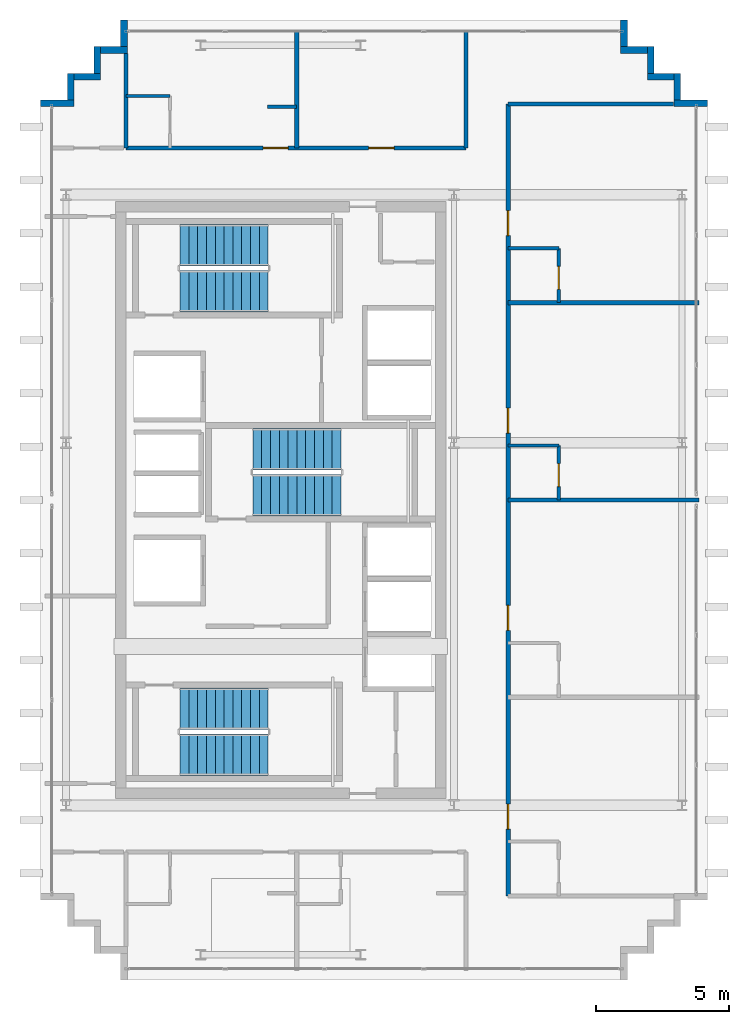
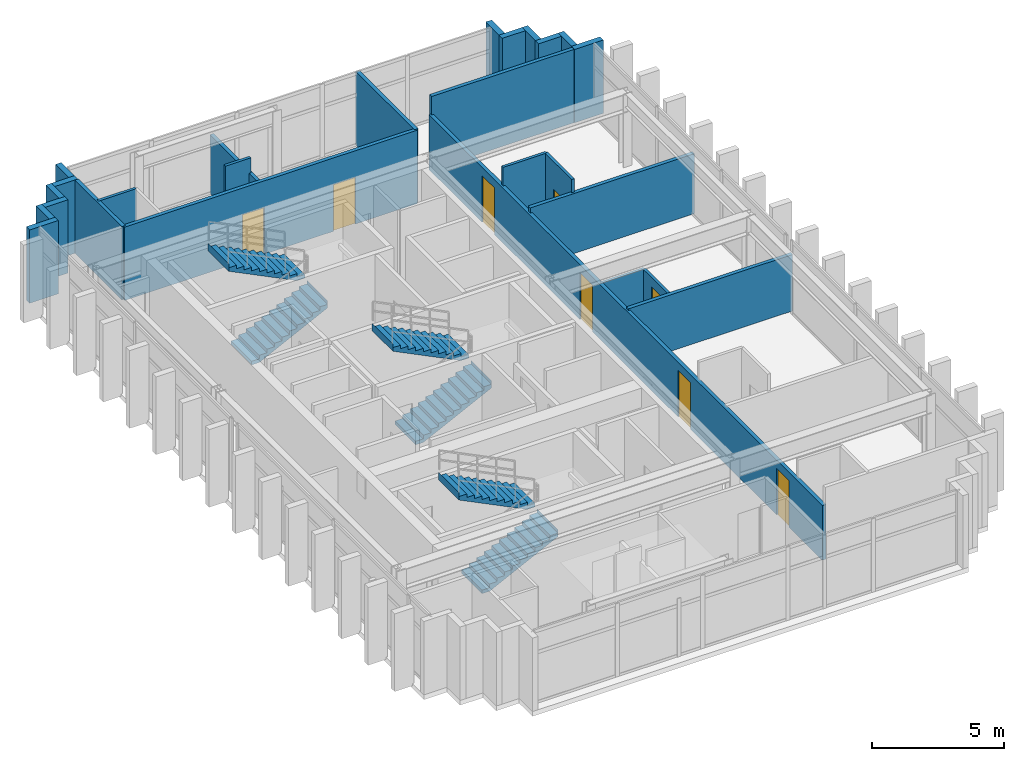
# One storey, part 14 of 15: 26 walls, 8 doors, 6 stair flights, 8 openings, 3 elements without a shape of their own.
"""IFC4 building model written with IfcOpenShell, lengths in metres."""

from ifc_helpers import new_model, si_unit, direction, frame, frame_2d, origin, place, context, subcontext, project, spatial, polyline, rectangle, outline, extrude, source, transform, mapped, material, layer, layer_set, type_object, element, fill, aggregate, save


model = new_model("IFC4")

# Units and contexts
model_context = context("Model", 3, precision=1e-05, world=origin(), true_north=direction((0.0, 1.0)))
body_context = subcontext(model_context, "Body", "Model", "MODEL_VIEW")
ifc_project = project(units=[si_unit("LENGTHUNIT", "METRE"), si_unit("AREAUNIT", "SQUARE_METRE"), si_unit("VOLUMEUNIT", "CUBIC_METRE"), si_unit("PLANEANGLEUNIT", "RADIAN"), si_unit("MASSUNIT", "GRAM", prefix="KILO")], contexts=[model_context])

# Site, building, storey
site_placement = place(None, origin())
site = spatial("IfcSite", under=ifc_project, at=site_placement, CompositionType="ELEMENT")
building_placement = place(site_placement, origin())
building = spatial("IfcBuilding", under=site, at=building_placement, Name="Ocotamira Hotel", CompositionType="ELEMENT")
storey_placement = place(building_placement, frame((0.0, 0.0, 283.199951171875)))
storey = spatial("IfcBuildingStorey", under=building, at=storey_placement, Name="L72", CompositionType="ELEMENT", Elevation=283.199951171875)

# Walls
ifc_material_1 = material(Name="Precast concrete C45/55", Category="concrete")
ifc_layer_1 = layer(ifc_material_1, 0.25)
ifc_layer_set_1 = layer_set([ifc_layer_1], Name="Precast concrete C45/55")
wall_type_1 = type_object("IfcWallType", Name="WL-EXT-SER-250", PredefinedType="SOLIDWALL", material=ifc_layer_set_1)
wall_1_placement = place(storey_placement, frame((33.0, 40.875, 0.0), z_axis=(0.0, 0.0, 1.0), x_axis=(-1.0, 0.0, 0.0)))
element("IfcWall", 1, at=wall_1_placement, inside=storey, type_object=wall_type_1, Name="L72 Serrated Corner Wall 07", PredefinedType="SOLIDWALL", context=body_context, shape_type="SweptSolid", body=[
    extrude(rectangle(XDim=1.25, YDim=0.25, at=frame_2d((0.625, 0.0))), origin(), (0.0, 0.0, 1.0), 3.380126953125),
])
for number, where, z_axis, x_axis, name in (
    (2, (31.875, 41.0, 0.0), (0.0, 0.0, 1.0), (0.0, 1.0, 0.0), "L72 Serrated Corner Wall 08"),
    (3, (31.75, 41.875, 0.0), (0.0, 0.0, 1.0), (-1.0, 0.0, 0.0), "L72 Serrated Corner Wall 09"),
    (4, (30.875, 42.0, 0.0), (0.0, 0.0, 1.0), (0.0, 1.0, 0.0), "L72 Serrated Corner Wall 10"),
    (5, (30.75, 42.875, 0.0), (0.0, 0.0, 1.0), (-1.0, 0.0, 0.0), "L72 Serrated Corner Wall 11"),
    (6, (29.875, 43.0, 0.0), (0.0, 0.0, 1.0), (0.0, 1.0, 0.0), "L72 Serrated Corner Wall 12"),
    (7, (11.125, 44.0, 0.0), (0.0, 0.0, 1.0), (0.0, -1.0, 0.0), "L72 Serrated Corner Wall 13"),
    (8, (11.25, 42.875, 0.0), (0.0, 0.0, 1.0), (-1.0, 0.0, 0.0), "L72 Serrated Corner Wall 14"),
    (9, (10.125, 43.0, 0.0), (0.0, 0.0, 1.0), (0.0, -1.0, 0.0), "L72 Serrated Corner Wall 15"),
    (10, (10.25, 41.875, 0.0), (0.0, 0.0, 1.0), (-1.0, 0.0, 0.0), "L72 Serrated Corner Wall 16"),
    (11, (9.125, 42.0, 0.0), (0.0, 0.0, 1.0), (0.0, -1.0, 0.0), "L72 Serrated Corner Wall 17"),
):
    element("IfcWall", number, at=place(storey_placement, frame(where, z_axis=z_axis, x_axis=x_axis)), inside=storey, type_object=wall_type_1, Name=name, PredefinedType="SOLIDWALL", context=body_context, shape_type="SweptSolid", body=[
        extrude(rectangle(XDim=1.0, YDim=0.25, at=frame_2d((0.5, 0.0))), origin(), (0.0, 0.0, 1.0), 3.380126953125),
    ])
wall_2_placement = place(storey_placement, frame((9.25, 40.875, 0.0), z_axis=(0.0, 0.0, 1.0), x_axis=(-1.0, 0.0, 0.0)))
element("IfcWall", 12, at=wall_2_placement, inside=storey, type_object=wall_type_1, Name="L72 Serrated Corner Wall 18", PredefinedType="SOLIDWALL", context=body_context, shape_type="SweptSolid", body=[
    extrude(rectangle(XDim=1.25, YDim=0.25, at=frame_2d((0.625, 0.0))), origin(), (0.0, 0.0, 1.0), 3.380126953125),
])

# Wall, openings, doors
ifc_material_2 = material(Name="Acoustic double-layer fire gypsum board partition", Category="gypsum")
ifc_layer_2 = layer(ifc_material_2, 0.159912109375)
ifc_layer_set_2 = layer_set([ifc_layer_2], Name="Acoustic double-layer fire gypsum board partition")
wall_type_2 = type_object("IfcWallType", Name="WL-FIRE-160", PredefinedType="PARTITIONING", material=ifc_layer_set_2)
wall_3_placement = place(storey_placement, frame((11.199951171875, 39.199951171875, 0.0), z_axis=(0.0, 0.0, 1.0), x_axis=(1.0, 0.0, 0.0)))
wall_3 = element("IfcWall", 13, at=wall_3_placement, inside=storey, type_object=wall_type_2, Name="L72 Interior Wall PW-L72-WP1N-CORRW", PredefinedType="PARTITIONING", context=body_context, shape_type="SweptSolid", body=[
    extrude(rectangle(XDim=12.75, YDim=0.159912109375, at=frame_2d((6.375, 0.0))), origin(), (0.0, 0.0, 1.0), 3.380126953125),
])
opening_1_placement = place(wall_3_placement, frame((5.139892578125, 0.0, 0.0)))
opening_1 = element("IfcOpeningElement", 14, at=opening_1_placement, cuts=wall_3, Name="Opening D-GR1", PredefinedType="OPENING", context=body_context, shape_type="SweptSolid", body=[
    extrude(rectangle(XDim=0.93994140625, YDim=2.14990234375, at=frame_2d((0.469970703125, 1.074951171875))), frame((0.0, 0.08984375, 0.0), z_axis=(0.0, -1.0, 0.0), x_axis=(1.0, 0.0, 0.0)), (0.0, 0.0, 1.0), 0.179931640625),
])
opening_2_placement = place(wall_3_placement, frame((9.094970703125, 0.0, 0.0)))
opening_2 = element("IfcOpeningElement", 15, at=opening_2_placement, cuts=wall_3, Name="Opening D-SV4", PredefinedType="OPENING", context=body_context, shape_type="SweptSolid", body=[
    extrude(rectangle(XDim=0.9599609375, YDim=2.14990234375, at=frame_2d((0.47998046875, 1.074951171875))), frame((0.0, 0.08984375, 0.0), z_axis=(0.0, -1.0, 0.0), x_axis=(1.0, 0.0, 0.0)), (0.0, 0.0, 1.0), 0.179931640625),
])
ifc_material_3 = material(Name="Fire-rated accessible walnut salon door", Category="wood")
door_type_1 = type_object("IfcDoorType", Name="DR-SERV-960", OperationType="NOTDEFINED", PredefinedType="DOOR", material=ifc_material_3)
shared_shape_1 = source(origin(), body_context, "Body", "SweptSolid", [
    extrude(rectangle(XDim=0.9599609375, YDim=2.14990234375, at=frame_2d((0.47998046875, 1.074951171875))), frame((0.0, 0.02490234375, 0.0), z_axis=(0.0, -1.0, 0.0), x_axis=(1.0, 0.0, 0.0)), (0.0, 0.0, 1.0), 0.050048828125),
])
door_1_placement = place(opening_2_placement, origin())
door_1 = element("IfcDoor", 16, at=door_1_placement, inside=storey, type_object=door_type_1, Name="L72 Door ID-L72-WP1N-AMD2 [ID-L72-WP1N-AMD2]", OperationType="SINGLE_SWING_RIGHT", OverallHeight=2.14990234375, OverallWidth=0.9599609375, PredefinedType="DOOR", context=body_context, shape_type="MappedRepresentation", body=[
    mapped(shared_shape_1, transform((0.0, 0.0, 0.0), scale=1.0)),
])
fill(opening_2, door_1)
ifc_material_4 = material(Name="Solid-core walnut suite entrance fire door", Category="wood")
door_type_2 = type_object("IfcDoorType", Name="DR-GUEST-940", OperationType="NOTDEFINED", PredefinedType="DOOR", material=ifc_material_4)
shared_shape_2 = source(origin(), body_context, "Body", "SweptSolid", [
    extrude(rectangle(XDim=0.93994140625, YDim=2.14990234375, at=frame_2d((0.469970703125, 1.074951171875))), frame((0.0, 0.02490234375, 0.0), z_axis=(0.0, -1.0, 0.0), x_axis=(1.0, 0.0, 0.0)), (0.0, 0.0, 1.0), 0.050048828125),
])
door_2_placement = place(opening_1_placement, origin())
door_2 = element("IfcDoor", 17, at=door_2_placement, inside=storey, type_object=door_type_2, Name="L72 Door ID-L72-WP1N-RMD1 [ID-L72-WP1N-RMD1]", OperationType="SINGLE_SWING_LEFT", OverallHeight=2.14990234375, OverallWidth=0.93994140625, PredefinedType="DOOR", context=body_context, shape_type="MappedRepresentation", body=[
    mapped(shared_shape_2, transform((0.0, 0.0, 0.0), scale=1.0)),
])
fill(opening_1, door_2)

wall_4_placement = place(storey_placement, frame((25.530029296875, 11.14990234375, 0.0), z_axis=(0.0, 0.0, 1.0), x_axis=(0.0, 1.0, 0.0)))
wall_4 = element("IfcWall", 18, at=wall_4_placement, inside=storey, type_object=wall_type_2, Name="L72 Interior Wall PW-L72-WP-EASTW-FULL", PredefinedType="PARTITIONING", context=body_context, shape_type="SweptSolid", body=[
    extrude(rectangle(XDim=29.7001953125, YDim=0.159912109375, at=frame_2d((14.85009765625, 0.0))), origin(), (0.0, 0.0, 1.0), 2.524169921875),
])
opening_3_placement = place(wall_4_placement, frame((2.510009765625, 0.0, 0.0)))
opening_3 = element("IfcOpeningElement", 19, at=opening_3_placement, cuts=wall_4, Name="Opening D-GR1", PredefinedType="OPENING", context=body_context, shape_type="SweptSolid", body=[
    extrude(rectangle(XDim=0.93994140625, YDim=2.14990234375, at=frame_2d((0.469970703125, 1.074951171875))), frame((0.0, 0.08984375, 0.0), z_axis=(0.0, -1.0, 0.0), x_axis=(1.0, 0.0, 0.0)), (0.0, 0.0, 1.0), 0.179931640625),
])
opening_4_placement = place(wall_4_placement, frame((9.9599609375, 0.0, 0.0)))
opening_4 = element("IfcOpeningElement", 20, at=opening_4_placement, cuts=wall_4, Name="Opening D-GR1", PredefinedType="OPENING", context=body_context, shape_type="SweptSolid", body=[
    extrude(rectangle(XDim=0.93994140625, YDim=2.14990234375, at=frame_2d((0.469970703125, 1.074951171875))), frame((0.0, 0.08984375, 0.0), z_axis=(0.0, -1.0, 0.0), x_axis=(1.0, 0.0, 0.0)), (0.0, 0.0, 1.0), 0.179931640625),
])
opening_5_placement = place(wall_4_placement, frame((17.360107421875, 0.0, 0.0)))
opening_5 = element("IfcOpeningElement", 21, at=opening_5_placement, cuts=wall_4, Name="Opening D-GR1", PredefinedType="OPENING", context=body_context, shape_type="SweptSolid", body=[
    extrude(rectangle(XDim=0.93994140625, YDim=2.14990234375, at=frame_2d((0.469970703125, 1.074951171875))), frame((0.0, 0.08984375, 0.0), z_axis=(0.0, -1.0, 0.0), x_axis=(1.0, 0.0, 0.0)), (0.0, 0.0, 1.0), 0.179931640625),
])
opening_6_placement = place(wall_4_placement, frame((24.760009765625, 0.0, 0.0)))
opening_6 = element("IfcOpeningElement", 22, at=opening_6_placement, cuts=wall_4, Name="Opening D-GR1", PredefinedType="OPENING", context=body_context, shape_type="SweptSolid", body=[
    extrude(rectangle(XDim=0.93994140625, YDim=2.14990234375, at=frame_2d((0.469970703125, 1.074951171875))), frame((0.0, 0.08984375, 0.0), z_axis=(0.0, -1.0, 0.0), x_axis=(1.0, 0.0, 0.0)), (0.0, 0.0, 1.0), 0.179931640625),
])
door_3_placement = place(opening_3_placement, origin())
door_3 = element("IfcDoor", 23, at=door_3_placement, inside=storey, type_object=door_type_2, Name="L72 Door ID-L72-WP-ERD1 [ID-L72-WP-ERD1]", OperationType="SINGLE_SWING_LEFT", OverallHeight=2.14990234375, OverallWidth=0.93994140625, PredefinedType="DOOR", context=body_context, shape_type="MappedRepresentation", body=[
    mapped(shared_shape_2, transform((0.0, 0.0, 0.0), scale=1.0)),
])
fill(opening_3, door_3)
door_4_placement = place(opening_4_placement, origin())
door_4 = element("IfcDoor", 24, at=door_4_placement, inside=storey, type_object=door_type_2, Name="L72 Door ID-L72-WP-ERD2 [ID-L72-WP-ERD2]", OperationType="SINGLE_SWING_RIGHT", OverallHeight=2.14990234375, OverallWidth=0.93994140625, PredefinedType="DOOR", context=body_context, shape_type="MappedRepresentation", body=[
    mapped(shared_shape_2, transform((0.0, 0.0, 0.0), scale=1.0)),
])
fill(opening_4, door_4)
door_5_placement = place(opening_5_placement, origin())
door_5 = element("IfcDoor", 25, at=door_5_placement, inside=storey, type_object=door_type_2, Name="L72 Door ID-L72-WP-ERD3 [ID-L72-WP-ERD3]", OperationType="SINGLE_SWING_LEFT", OverallHeight=2.14990234375, OverallWidth=0.93994140625, PredefinedType="DOOR", context=body_context, shape_type="MappedRepresentation", body=[
    mapped(shared_shape_2, transform((0.0, 0.0, 0.0), scale=1.0)),
])
fill(opening_5, door_5)
door_6_placement = place(opening_6_placement, origin())
door_6 = element("IfcDoor", 26, at=door_6_placement, inside=storey, type_object=door_type_2, Name="L72 Door ID-L72-WP-ERD4 [ID-L72-WP-ERD4]", OperationType="SINGLE_SWING_RIGHT", OverallHeight=2.14990234375, OverallWidth=0.93994140625, PredefinedType="DOOR", context=body_context, shape_type="MappedRepresentation", body=[
    mapped(shared_shape_2, transform((0.0, 0.0, 0.0), scale=1.0)),
])
fill(opening_6, door_6)

# Walls
ifc_material_5 = material(Name="Moisture-resistant en-suite tile and gypsum partition", Category="gypsum")
ifc_layer_3 = layer(ifc_material_5, 0.1201171875)
ifc_layer_set_3 = layer_set([ifc_layer_3], Name="Moisture-resistant en-suite tile and gypsum partition")
wall_type_3 = type_object("IfcWallType", Name="WL-PART-120", PredefinedType="PARTITIONING", material=ifc_layer_set_3)
wall_5_placement = place(storey_placement, frame((11.199951171875, 41.14990234375, 0.0), z_axis=(0.0, 0.0, 1.0), x_axis=(1.0, 0.0, 0.0)))
element("IfcWall", 27, at=wall_5_placement, inside=storey, type_object=wall_type_3, Name="L72 Interior Wall PW-L72-WP1N-BAN1", PredefinedType="PARTITIONING", context=body_context, shape_type="SweptSolid", body=[
    extrude(rectangle(XDim=1.650146484375, YDim=0.1201171875, at=frame_2d((0.8251953125, 0.0))), origin(), (0.0, 0.0, 1.0), 3.380126953125),
])
wall_6_placement = place(storey_placement, frame((16.5, 40.75, 0.0), z_axis=(0.0, 0.0, 1.0), x_axis=(1.0, 0.0, 0.0)))
element("IfcWall", 28, at=wall_6_placement, inside=storey, type_object=wall_type_3, Name="L72 Interior Wall PW-L72-WP1N-DRN1", PredefinedType="PARTITIONING", context=body_context, shape_type="SweptSolid", body=[
    extrude(rectangle(XDim=1.10009765625, YDim=0.1201171875, at=frame_2d((0.550048828125, 0.0))), origin(), (0.0, 0.0, 1.0), 3.380126953125),
])

# Wall, opening, door
wall_7_placement = place(storey_placement, frame((27.429931640625, 26.0, 0.0), z_axis=(0.0, 0.0, 1.0), x_axis=(0.0, 1.0, 0.0)))
wall_7 = element("IfcWall", 29, at=wall_7_placement, inside=storey, type_object=wall_type_3, Name="L72 Interior Wall PW-L72-WP-EBE3", PredefinedType="PARTITIONING", context=body_context, shape_type="SweptSolid", body=[
    extrude(rectangle(XDim=2.0400390625, YDim=0.1201171875, at=frame_2d((1.02001953125, 0.0))), origin(), (0.0, 0.0, 1.0), 2.524169921875),
])
opening_7_placement = place(wall_7_placement, frame((0.5, 0.0, 0.0)))
opening_7 = element("IfcOpeningElement", 30, at=opening_7_placement, cuts=wall_7, Name="Opening D-BA1", PredefinedType="OPENING", context=body_context, shape_type="SweptSolid", body=[
    extrude(rectangle(XDim=0.860107421875, YDim=2.10009765625, at=frame_2d((0.43017578125, 1.050048828125))), frame((0.0, 0.070068359375, 0.0), z_axis=(0.0, -1.0, 0.0), x_axis=(1.0, 0.0, 0.0)), (0.0, 0.0, 1.0), 0.14013671875),
])
ifc_material_6 = material(Name="Moisture-sealed en-suite timber door", Category="wood")
door_type_3 = type_object("IfcDoorType", Name="DR-BATH-860", OperationType="NOTDEFINED", PredefinedType="DOOR", material=ifc_material_6)
shared_shape_3 = source(origin(), body_context, "Body", "SweptSolid", [
    extrude(rectangle(XDim=0.860107421875, YDim=2.10009765625, at=frame_2d((0.43017578125, 1.050048828125))), frame((0.0, 0.02490234375, 0.0), z_axis=(0.0, -1.0, 0.0), x_axis=(1.0, 0.0, 0.0)), (0.0, 0.0, 1.0), 0.050048828125),
])
door_7_placement = place(opening_7_placement, origin())
door_7 = element("IfcDoor", 31, at=door_7_placement, inside=storey, type_object=door_type_3, Name="L72 Door ID-L72-WP-EBD3 [ID-L72-WP-EBD3]", OperationType="SINGLE_SWING_LEFT", OverallHeight=2.10009765625, OverallWidth=0.860107421875, PredefinedType="DOOR", context=body_context, shape_type="MappedRepresentation", body=[
    mapped(shared_shape_3, transform((0.0, 0.0, 0.0), scale=1.0)),
])
fill(opening_7, door_7)

# Wall
wall_8_placement = place(storey_placement, frame((25.530029296875, 28.0400390625, 0.0), z_axis=(0.0, 0.0, 1.0), x_axis=(1.0, 0.0, 0.0)))
element("IfcWall", 32, at=wall_8_placement, inside=storey, type_object=wall_type_3, Name="L72 Interior Wall PW-L72-WP-EBN3", PredefinedType="PARTITIONING", context=body_context, shape_type="SweptSolid", body=[
    extrude(rectangle(XDim=1.89990234375, YDim=0.1201171875, at=frame_2d((0.949951171875, 0.0))), origin(), (0.0, 0.0, 1.0), 2.524169921875),
])

# Wall, opening, door
wall_9_placement = place(storey_placement, frame((27.429931640625, 33.39990234375, 0.0), z_axis=(0.0, 0.0, 1.0), x_axis=(0.0, 1.0, 0.0)))
wall_9 = element("IfcWall", 33, at=wall_9_placement, inside=storey, type_object=wall_type_3, Name="L72 Interior Wall PW-L72-WP-EBE4", PredefinedType="PARTITIONING", context=body_context, shape_type="SweptSolid", body=[
    extrude(rectangle(XDim=2.0400390625, YDim=0.1201171875, at=frame_2d((1.02001953125, 0.0))), origin(), (0.0, 0.0, 1.0), 3.380126953125),
])
opening_8_placement = place(wall_9_placement, frame((0.5, 0.0, 0.0)))
opening_8 = element("IfcOpeningElement", 34, at=opening_8_placement, cuts=wall_9, Name="Opening D-BA1", PredefinedType="OPENING", context=body_context, shape_type="SweptSolid", body=[
    extrude(rectangle(XDim=0.860107421875, YDim=2.10009765625, at=frame_2d((0.43017578125, 1.050048828125))), frame((0.0, 0.070068359375, 0.0), z_axis=(0.0, -1.0, 0.0), x_axis=(1.0, 0.0, 0.0)), (0.0, 0.0, 1.0), 0.14013671875),
])
door_8_placement = place(opening_8_placement, origin())
door_8 = element("IfcDoor", 35, at=door_8_placement, inside=storey, type_object=door_type_3, Name="L72 Door ID-L72-WP-EBD4 [ID-L72-WP-EBD4]", OperationType="SINGLE_SWING_LEFT", OverallHeight=2.10009765625, OverallWidth=0.860107421875, PredefinedType="DOOR", context=body_context, shape_type="MappedRepresentation", body=[
    mapped(shared_shape_3, transform((0.0, 0.0, 0.0), scale=1.0)),
])
fill(opening_8, door_8)

# Walls
wall_10_placement = place(storey_placement, frame((25.530029296875, 35.43994140625, 0.0), z_axis=(0.0, 0.0, 1.0), x_axis=(1.0, 0.0, 0.0)))
element("IfcWall", 36, at=wall_10_placement, inside=storey, type_object=wall_type_3, Name="L72 Interior Wall PW-L72-WP-EBN4", PredefinedType="PARTITIONING", context=body_context, shape_type="SweptSolid", body=[
    extrude(rectangle(XDim=1.89990234375, YDim=0.1201171875, at=frame_2d((0.949951171875, 0.0))), origin(), (0.0, 0.0, 1.0), 3.380126953125),
])
ifc_material_7 = material(Name="Acoustic double-stud hospitality gypsum partition", Category="gypsum")
ifc_layer_4 = layer(ifc_material_7, 0.159912109375)
ifc_layer_set_4 = layer_set([ifc_layer_4], Name="Acoustic double-stud hospitality gypsum partition")
wall_type_4 = type_object("IfcWallType", Name="WL-PART-160", PredefinedType="PARTITIONING", material=ifc_layer_set_4)
wall_11_placement = place(storey_placement, frame((11.199951171875, 39.199951171875, 0.0), z_axis=(0.0, 0.0, 1.0), x_axis=(0.0, 1.0, 0.0)))
element("IfcWall", 37, at=wall_11_placement, inside=storey, type_object=wall_type_4, Name="L72 Interior Wall PW-L72-WP1N-PW0", PredefinedType="PARTITIONING", context=body_context, shape_type="SweptSolid", body=[
    extrude(rectangle(XDim=3.5400390625, YDim=0.159912109375, at=frame_2d((1.77001953125, 0.0))), origin(), (0.0, 0.0, 1.0), 3.380126953125),
])
wall_12_placement = place(storey_placement, frame((23.949951171875, 39.199951171875, 0.0), z_axis=(0.0, 0.0, 1.0), x_axis=(0.0, 1.0, 0.0)))
element("IfcWall", 38, at=wall_12_placement, inside=storey, type_object=wall_type_4, Name="L72 Interior Wall PW-L72-WP1N-PWEND", PredefinedType="PARTITIONING", context=body_context, shape_type="SweptSolid", body=[
    extrude(rectangle(XDim=4.43994140625, YDim=0.159912109375, at=frame_2d((2.219970703125, 0.0))), origin(), (0.0, 0.0, 1.0), 3.380126953125),
])
wall_13_placement = place(storey_placement, frame((17.60009765625, 39.199951171875, 0.0), z_axis=(0.0, 0.0, 1.0), x_axis=(0.0, 1.0, 0.0)))
element("IfcWall", 39, at=wall_13_placement, inside=storey, type_object=wall_type_4, Name="L72 Interior Wall PW-L72-WP1N-PW1", PredefinedType="PARTITIONING", context=body_context, shape_type="SweptSolid", body=[
    extrude(rectangle(XDim=4.43994140625, YDim=0.159912109375, at=frame_2d((2.219970703125, 0.0))), origin(), (0.0, 0.0, 1.0), 2.68701171875),
])
wall_14_placement = place(storey_placement, frame((25.530029296875, 40.85009765625, 0.0), z_axis=(0.0, 0.0, 1.0), x_axis=(1.0, 0.0, 0.0)))
element("IfcWall", 40, at=wall_14_placement, inside=storey, type_object=wall_type_4, Name="L72 Interior Wall PW-L72-WP-EDIVN", PredefinedType="PARTITIONING", context=body_context, shape_type="SweptSolid", body=[
    extrude(rectangle(XDim=6.2099609375, YDim=0.159912109375, at=frame_2d((3.10498046875, 0.0))), origin(), (0.0, 0.0, 1.0), 3.380126953125),
])
wall_15_placement = place(storey_placement, frame((25.530029296875, 26.0, 0.0), z_axis=(0.0, 0.0, 1.0), x_axis=(1.0, 0.0, 0.0)))
element("IfcWall", 41, at=wall_15_placement, inside=storey, type_object=wall_type_4, Name="L72 Interior Wall PW-L72-WP-EDIV2", PredefinedType="PARTITIONING", context=body_context, shape_type="SweptSolid", body=[
    extrude(rectangle(XDim=7.14990234375, YDim=0.159912109375, at=frame_2d((3.574951171875, 0.0))), origin(), (0.0, 0.0, 1.0), 2.60107421875),
])
wall_16_placement = place(storey_placement, frame((25.530029296875, 33.39990234375, 0.0), z_axis=(0.0, 0.0, 1.0), x_axis=(1.0, 0.0, 0.0)))
element("IfcWall", 42, at=wall_16_placement, inside=storey, type_object=wall_type_4, Name="L72 Interior Wall PW-L72-WP-EDIV3", PredefinedType="PARTITIONING", context=body_context, shape_type="SweptSolid", body=[
    extrude(rectangle(XDim=7.14990234375, YDim=0.159912109375, at=frame_2d((3.574951171875, 0.0))), origin(), (0.0, 0.0, 1.0), 2.762939453125),
])

# Stair, stair flights
ifc_material_8 = material(Name="Concrete C40/50", Category="concrete")
stair_type = type_object("IfcStairType", Name="ST-CORE-1560", PredefinedType="HALF_TURN_STAIR", material=ifc_material_8)
stair_1_placement = place(storey_placement, origin())
stair_1 = element("IfcStair", 43, at=stair_1_placement, inside=storey, type_object=stair_type, Name="L72 Exit Stair ST-1", PredefinedType="HALF_TURN_STAIR")
stair_flight_type = type_object("IfcStairFlightType", Name="STF-CORE-1560", PredefinedType="STRAIGHT", material=ifc_material_8)
shared_shape_4 = source(origin(), body_context, "Body", "SweptSolid", [
    extrude(outline(polyline([(-0.00390625, 0.0), (-0.00390625, 0.16357421875), (0.330078125, 0.16357421875), (0.330078125, 0.327392578125), (0.659912109375, 0.327392578125), (0.659912109375, 0.490966796875), (0.989990234375, 0.490966796875), (0.989990234375, 0.654541015625), (1.320068359375, 0.654541015625), (1.320068359375, 0.818115234375), (1.64990234375, 0.818115234375), (1.64990234375, 0.98193359375), (1.97998046875, 0.98193359375), (1.97998046875, 1.1455078125), (2.31005859375, 1.1455078125), (2.31005859375, 1.30908203125), (2.639892578125, 1.30908203125), (2.639892578125, 1.47265625), (2.969970703125, 1.47265625), (2.969970703125, 1.636474609375), (3.300048828125, 1.636474609375), (3.300048828125, 1.800048828125), (3.303955078125, 1.800048828125), (3.303955078125, 1.468994140625), (0.33740234375, 0.0), (-0.00390625, 0.0)])), frame((0.0, 0.780029296875, 0.0), z_axis=(0.0, -1.0, 0.0), x_axis=(1.0, 0.0, 0.0)), (0.0, 0.0, 1.0), 1.56005859375),
])
stair_flight_1_placement = place(storey_placement, frame((13.22998046875, 16.449951171875, 0.0), z_axis=(0.0, 0.0, 1.0), x_axis=(1.0, 0.0, 0.0)))
stair_flight_1 = element("IfcStairFlight", 44, at=stair_flight_1_placement, type_object=stair_flight_type, Name="ST-1 flight 1", NumberOfRisers=11, NumberOfTreads=10, PredefinedType="STRAIGHT", RiserHeight=0.163636364, TreadLength=0.33, context=body_context, shape_type="MappedRepresentation", body=[
    mapped(shared_shape_4, transform((0.0, 0.0, 0.0), scale=1.0)),
])
stair_flight_2_placement = place(storey_placement, frame((16.530029296875, 18.169921875, 1.800048828125), z_axis=(0.0, 0.0, 1.0), x_axis=(-1.0, 0.0, 0.0)))
stair_flight_2 = element("IfcStairFlight", 45, at=stair_flight_2_placement, type_object=stair_flight_type, Name="ST-1 flight 2", NumberOfRisers=11, NumberOfTreads=10, PredefinedType="STRAIGHT", RiserHeight=0.163636364, TreadLength=0.33, context=body_context, shape_type="MappedRepresentation", body=[
    mapped(shared_shape_4, transform((0.0, 0.0, 0.0), scale=1.0)),
])
aggregate(stair_1, [stair_flight_1, stair_flight_2])

stair_2_placement = place(storey_placement, origin())
stair_2 = element("IfcStair", 46, at=stair_2_placement, inside=storey, type_object=stair_type, Name="L72 Exit Stair ST-2", PredefinedType="HALF_TURN_STAIR")
stair_flight_3_placement = place(storey_placement, frame((13.22998046875, 33.830078125, 0.0), z_axis=(0.0, 0.0, 1.0), x_axis=(1.0, 0.0, 0.0)))
stair_flight_3 = element("IfcStairFlight", 47, at=stair_flight_3_placement, type_object=stair_flight_type, Name="ST-2 flight 1", NumberOfRisers=11, NumberOfTreads=10, PredefinedType="STRAIGHT", RiserHeight=0.163636364, TreadLength=0.33, context=body_context, shape_type="MappedRepresentation", body=[
    mapped(shared_shape_4, transform((0.0, 0.0, 0.0), scale=1.0)),
])
stair_flight_4_placement = place(storey_placement, frame((16.530029296875, 35.550048828125, 1.800048828125), z_axis=(0.0, 0.0, 1.0), x_axis=(-1.0, 0.0, 0.0)))
stair_flight_4 = element("IfcStairFlight", 48, at=stair_flight_4_placement, type_object=stair_flight_type, Name="ST-2 flight 2", NumberOfRisers=11, NumberOfTreads=10, PredefinedType="STRAIGHT", RiserHeight=0.163636364, TreadLength=0.33, context=body_context, shape_type="MappedRepresentation", body=[
    mapped(shared_shape_4, transform((0.0, 0.0, 0.0), scale=1.0)),
])
aggregate(stair_2, [stair_flight_3, stair_flight_4])

stair_3_placement = place(storey_placement, origin())
stair_3 = element("IfcStair", 49, at=stair_3_placement, inside=storey, type_object=stair_type, Name="L72 Exit Stair ST-3", PredefinedType="HALF_TURN_STAIR")
stair_flight_5_placement = place(storey_placement, frame((15.9599609375, 26.179931640625, 0.0), z_axis=(0.0, 0.0, 1.0), x_axis=(1.0, 0.0, 0.0)))
stair_flight_5 = element("IfcStairFlight", 50, at=stair_flight_5_placement, type_object=stair_flight_type, Name="ST-3 flight 1", NumberOfRisers=11, NumberOfTreads=10, PredefinedType="STRAIGHT", RiserHeight=0.163636364, TreadLength=0.33, context=body_context, shape_type="MappedRepresentation", body=[
    mapped(shared_shape_4, transform((0.0, 0.0, 0.0), scale=1.0)),
])
stair_flight_6_placement = place(storey_placement, frame((19.260009765625, 27.89990234375, 1.800048828125), z_axis=(0.0, 0.0, 1.0), x_axis=(-1.0, 0.0, 0.0)))
stair_flight_6 = element("IfcStairFlight", 51, at=stair_flight_6_placement, type_object=stair_flight_type, Name="ST-3 flight 2", NumberOfRisers=11, NumberOfTreads=10, PredefinedType="STRAIGHT", RiserHeight=0.163636364, TreadLength=0.33, context=body_context, shape_type="MappedRepresentation", body=[
    mapped(shared_shape_4, transform((0.0, 0.0, 0.0), scale=1.0)),
])
aggregate(stair_3, [stair_flight_5, stair_flight_6])

save(model, "model.ifc")
